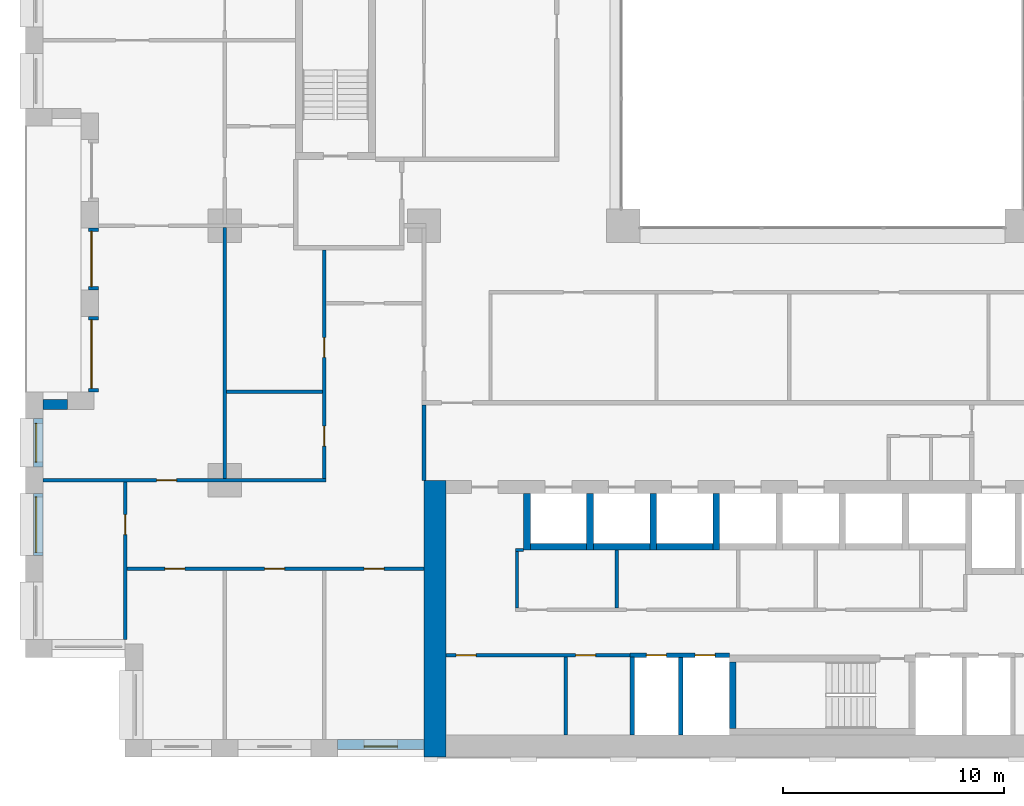
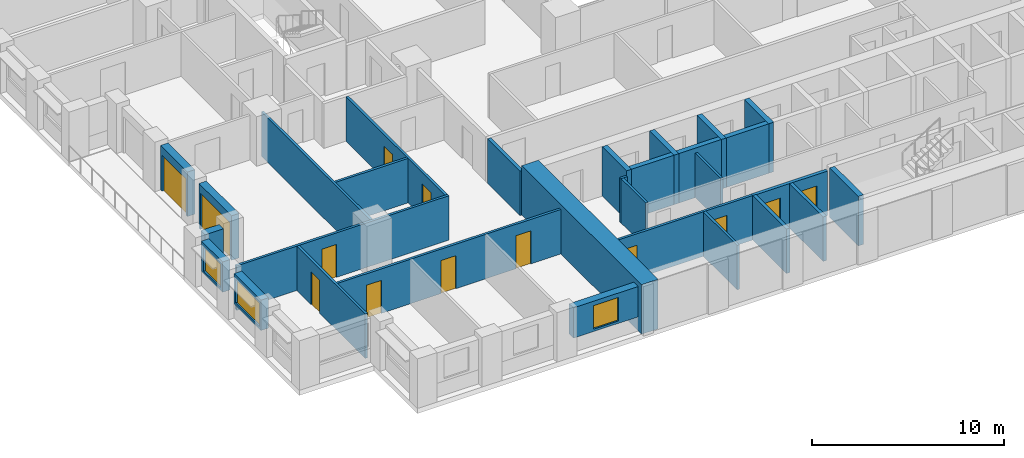
# One storey, part 9 of 19: 30 walls, 13 doors, 3 windows, 16 openings.
"""IFC4 building model written with IfcOpenShell, lengths in metres."""

from ifc_helpers import new_model, si_unit, direction, frame, frame_2d, origin, place, context, subcontext, project, spatial, rectangle, extrude, material, layer, layer_set, type_object, element, fill, save


model = new_model("IFC4")

# Units and contexts
model_context = context("Model", 3, precision=1e-05, world=origin(), true_north=direction((0.0, 1.0)))
body_context = subcontext(model_context, "Body", "Model", "MODEL_VIEW")
ifc_project = project(units=[si_unit("LENGTHUNIT", "METRE"), si_unit("AREAUNIT", "SQUARE_METRE"), si_unit("VOLUMEUNIT", "CUBIC_METRE"), si_unit("PLANEANGLEUNIT", "RADIAN"), si_unit("MASSUNIT", "GRAM", prefix="KILO")], contexts=[model_context])

# Site, building, storey
site_placement = place(None, origin())
site = spatial("IfcSite", under=ifc_project, at=site_placement, CompositionType="ELEMENT")
building_placement = place(site_placement, origin())
building = spatial("IfcBuilding", under=site, at=building_placement, Name="Brigalow Station Residences", CompositionType="ELEMENT")
storey_placement = place(building_placement, frame((0.0, 0.0, 35.25)))
storey = spatial("IfcBuildingStorey", under=building, at=storey_placement, Name="L09", CompositionType="ELEMENT", Elevation=35.25)

# Wall, opening, window
ifc_material_1 = material(Name="Clay brick masonry", Category="masonry")
ifc_layer_1 = layer(ifc_material_1, 0.449951171875)
ifc_layer_set_1 = layer_set([ifc_layer_1], Name="BRICK INFILL WALL 450")
wall_type_1 = type_object("IfcWallType", Name="BRICK INFILL WALL 450", PredefinedType="SOLIDWALL", material=ifc_layer_set_1)
wall_1_placement = place(storey_placement, frame((14.10009765625, 0.574951171875, 0.89990234375), z_axis=(0.0, 0.0, 1.0), x_axis=(1.0, 0.0, 0.0)))
wall_1 = element("IfcWall", 1, at=wall_1_placement, inside=storey, type_object=wall_type_1, Name="L09/ewall/W-L09-3", PredefinedType="SOLIDWALL", context=body_context, shape_type="SweptSolid", body=[
    extrude(rectangle(XDim=3.89990234375, YDim=0.449951171875, at=frame_2d((1.949951171875, 0.0))), origin(), (0.0, 0.0, 1.0), 1.93017578125),
])
opening_1_placement = place(wall_1_placement, frame((1.199951171875, 0.0, 0.14990234375)))
opening_1 = element("IfcOpeningElement", 2, at=opening_1_placement, cuts=wall_1, Name="Opening WT-1", PredefinedType="OPENING", context=body_context, shape_type="SweptSolid", body=[
    extrude(rectangle(XDim=1.5, YDim=1.5, at=frame_2d((0.75, 0.75))), frame((0.0, 0.23486328125, 0.0), z_axis=(0.0, -1.0, 0.0), x_axis=(1.0, 0.0, 0.0)), (0.0, 0.0, 1.0), 0.469970703125),
])
ifc_material_2 = material(Name="Anodised aluminium frame with double glazing", Category="aluminium")
window_type_1 = type_object("IfcWindowType", Name="WINDOW 1500x1500", PartitioningType="SINGLE_PANEL", PredefinedType="WINDOW", material=ifc_material_2)
window_1_placement = place(opening_1_placement, origin())
window_1 = element("IfcWindow", 3, at=window_1_placement, inside=storey, type_object=window_type_1, Name="L09/window/W-L09-3", OverallHeight=1.5, OverallWidth=1.5, PartitioningType="SINGLE_PANEL", PredefinedType="WINDOW", context=body_context, shape_type="SweptSolid", body=[
    extrude(rectangle(XDim=1.5, YDim=1.5, at=frame_2d((0.75, 0.75))), frame((0.0, -0.06494140625, 0.0), z_axis=(0.0, -1.0, 0.0), x_axis=(1.0, 0.0, 0.0)), (0.0, 0.0, 1.0), 0.06005859375),
])
fill(opening_1, window_1)

# Wall, opening, door
wall_2_placement = place(storey_placement, frame((3.074951171875, 23.89990234375, 0.0), z_axis=(0.0, 0.0, 1.0), x_axis=(0.0, -1.0, 0.0)))
wall_2 = element("IfcWall", 4, at=wall_2_placement, inside=storey, type_object=wall_type_1, Name="L09/ewall/W-L09-48", PredefinedType="SOLIDWALL", context=body_context, shape_type="SweptSolid", body=[
    extrude(rectangle(XDim=2.7998046875, YDim=0.449951171875, at=frame_2d((1.39990234375, 0.0))), origin(), (0.0, 0.0, 1.0), 2.830078125),
])
opening_2_placement = place(wall_2_placement, frame((0.14990234375, 0.0, 0.0)))
opening_2 = element("IfcOpeningElement", 5, at=opening_2_placement, cuts=wall_2, Name="Opening D-B2500", PredefinedType="OPENING", context=body_context, shape_type="SweptSolid", body=[
    extrude(rectangle(XDim=2.5, YDim=2.300048828125, at=frame_2d((1.25, 1.14990234375))), frame((0.0, 0.23486328125, 0.0), z_axis=(0.0, -1.0, 0.0), x_axis=(1.0, 0.0, 0.0)), (0.0, 0.0, 1.0), 0.469970703125),
])
ifc_material_3 = material(Name="Anodised aluminium frame with double glazing", Category="aluminium")
door_type_1 = type_object("IfcDoorType", Name="BALCONY SLIDING DOOR 2500x2300", OperationType="SLIDING_TO_LEFT", PredefinedType="DOOR", material=ifc_material_3)
door_1_placement = place(opening_2_placement, origin())
door_1 = element("IfcDoor", 6, at=door_1_placement, inside=storey, type_object=door_type_1, Name="L09/balcony-door/W-L09-48", OperationType="SLIDING_TO_LEFT", OverallHeight=2.300048828125, OverallWidth=2.5, PredefinedType="DOOR", context=body_context, shape_type="SweptSolid", body=[
    extrude(rectangle(XDim=2.5, YDim=2.300048828125, at=frame_2d((1.25, 1.14990234375))), frame((0.0, -0.06982421875, 0.0), z_axis=(0.0, -1.0, 0.0), x_axis=(1.0, 0.0, 0.0)), (0.0, 0.0, 1.0), 0.050048828125),
])
fill(opening_2, door_1)

wall_3_placement = place(storey_placement, frame((3.074951171875, 19.89990234375, 0.0), z_axis=(0.0, 0.0, 1.0), x_axis=(0.0, -1.0, 0.0)))
wall_3 = element("IfcWall", 7, at=wall_3_placement, inside=storey, type_object=wall_type_1, Name="L09/ewall/W-L09-49", PredefinedType="SOLIDWALL", context=body_context, shape_type="SweptSolid", body=[
    extrude(rectangle(XDim=3.39990234375, YDim=0.449951171875, at=frame_2d((1.699951171875, 0.0))), origin(), (0.0, 0.0, 1.0), 2.830078125),
])
opening_3_placement = place(wall_3_placement, frame((0.14990234375, 0.0, 0.0)))
opening_3 = element("IfcOpeningElement", 8, at=opening_3_placement, cuts=wall_3, Name="Opening D-B3100", PredefinedType="OPENING", context=body_context, shape_type="SweptSolid", body=[
    extrude(rectangle(XDim=3.10009765625, YDim=2.300048828125, at=frame_2d((1.550048828125, 1.14990234375))), frame((0.0, 0.23486328125, 0.0), z_axis=(0.0, -1.0, 0.0), x_axis=(1.0, 0.0, 0.0)), (0.0, 0.0, 1.0), 0.469970703125),
])
ifc_material_4 = material(Name="Anodised aluminium frame with double glazing", Category="aluminium")
door_type_2 = type_object("IfcDoorType", Name="BALCONY SLIDING DOOR 3100x2300", OperationType="SLIDING_TO_LEFT", PredefinedType="DOOR", material=ifc_material_4)
door_2_placement = place(opening_3_placement, origin())
door_2 = element("IfcDoor", 9, at=door_2_placement, inside=storey, type_object=door_type_2, Name="L09/balcony-door/W-L09-49", OperationType="SLIDING_TO_LEFT", OverallHeight=2.300048828125, OverallWidth=3.10009765625, PredefinedType="DOOR", context=body_context, shape_type="SweptSolid", body=[
    extrude(rectangle(XDim=3.10009765625, YDim=2.300048828125, at=frame_2d((1.550048828125, 1.14990234375))), frame((0.0, -0.06982421875, 0.0), z_axis=(0.0, -1.0, 0.0), x_axis=(1.0, 0.0, 0.0)), (0.0, 0.0, 1.0), 0.050048828125),
])
fill(opening_3, door_2)

# Wall
wall_4_placement = place(storey_placement, frame((1.89990234375, 15.925048828125, 0.89990234375), z_axis=(0.0, 0.0, 1.0), x_axis=(-1.0, 0.0, 0.0)))
element("IfcWall", 10, at=wall_4_placement, inside=storey, type_object=wall_type_1, Name="L09/ewall/W-L09-50", PredefinedType="SOLIDWALL", context=body_context, shape_type="SweptSolid", body=[
    extrude(rectangle(XDim=1.099853515625, YDim=0.449951171875, at=frame_2d((0.5498046875, 0.0))), origin(), (0.0, 0.0, 1.0), 1.93017578125),
])

# Wall, opening, window
wall_5_placement = place(storey_placement, frame((0.574951171875, 15.300048828125, 0.89990234375), z_axis=(0.0, 0.0, 1.0), x_axis=(0.0, -1.0, 0.0)))
wall_5 = element("IfcWall", 11, at=wall_5_placement, inside=storey, type_object=wall_type_1, Name="L09/ewall/W-L09-51", PredefinedType="SOLIDWALL", context=body_context, shape_type="SweptSolid", body=[
    extrude(rectangle(XDim=2.199951171875, YDim=0.449951171875, at=frame_2d((1.10009765625, 0.0))), origin(), (0.0, 0.0, 1.0), 1.93017578125),
])
opening_4_placement = place(wall_5_placement, frame((0.22509765625, 0.0, 0.14990234375)))
opening_4 = element("IfcOpeningElement", 12, at=opening_4_placement, cuts=wall_5, Name="Opening WT-4", PredefinedType="OPENING", context=body_context, shape_type="SweptSolid", body=[
    extrude(rectangle(XDim=1.75, YDim=1.5, at=frame_2d((0.875, 0.75))), frame((0.0, 0.23486328125, 0.0), z_axis=(0.0, -1.0, 0.0), x_axis=(1.0, 0.0, 0.0)), (0.0, 0.0, 1.0), 0.469970703125),
])
ifc_material_5 = material(Name="Anodised aluminium frame with double glazing", Category="aluminium")
window_type_2 = type_object("IfcWindowType", Name="WINDOW 1750x1500", PartitioningType="SINGLE_PANEL", PredefinedType="WINDOW", material=ifc_material_5)
window_2_placement = place(opening_4_placement, origin())
window_2 = element("IfcWindow", 13, at=window_2_placement, inside=storey, type_object=window_type_2, Name="L09/window/W-L09-51", OverallHeight=1.5, OverallWidth=1.75, PartitioningType="SINGLE_PANEL", PredefinedType="WINDOW", context=body_context, shape_type="SweptSolid", body=[
    extrude(rectangle(XDim=1.75, YDim=1.5, at=frame_2d((0.875, 0.75))), frame((0.0, -0.06494140625, 0.0), z_axis=(0.0, -1.0, 0.0), x_axis=(1.0, 0.0, 0.0)), (0.0, 0.0, 1.0), 0.06005859375),
])
fill(opening_4, window_2)

wall_6_placement = place(storey_placement, frame((0.574951171875, 11.89990234375, 0.89990234375), z_axis=(0.0, 0.0, 1.0), x_axis=(0.0, -1.0, 0.0)))
wall_6 = element("IfcWall", 14, at=wall_6_placement, inside=storey, type_object=wall_type_1, Name="L09/ewall/W-L09-52", PredefinedType="SOLIDWALL", context=body_context, shape_type="SweptSolid", body=[
    extrude(rectangle(XDim=2.7998046875, YDim=0.449951171875, at=frame_2d((1.39990234375, 0.0))), origin(), (0.0, 0.0, 1.0), 1.93017578125),
])
opening_5_placement = place(wall_6_placement, frame((0.14990234375, 0.0, 0.14990234375)))
opening_5 = element("IfcOpeningElement", 15, at=opening_5_placement, cuts=wall_6, Name="Opening WT-5", PredefinedType="OPENING", context=body_context, shape_type="SweptSolid", body=[
    extrude(rectangle(XDim=2.5, YDim=1.5, at=frame_2d((1.25, 0.75))), frame((0.0, 0.23486328125, 0.0), z_axis=(0.0, -1.0, 0.0), x_axis=(1.0, 0.0, 0.0)), (0.0, 0.0, 1.0), 0.469970703125),
])
ifc_material_6 = material(Name="Anodised aluminium frame with double glazing", Category="aluminium")
window_type_3 = type_object("IfcWindowType", Name="WINDOW 2500x1500", PartitioningType="SINGLE_PANEL", PredefinedType="WINDOW", material=ifc_material_6)
window_3_placement = place(opening_5_placement, origin())
window_3 = element("IfcWindow", 16, at=window_3_placement, inside=storey, type_object=window_type_3, Name="L09/window/W-L09-52", OverallHeight=1.5, OverallWidth=2.5, PartitioningType="SINGLE_PANEL", PredefinedType="WINDOW", context=body_context, shape_type="SweptSolid", body=[
    extrude(rectangle(XDim=2.5, YDim=1.5, at=frame_2d((1.25, 0.75))), frame((0.0, -0.06494140625, 0.0), z_axis=(0.0, -1.0, 0.0), x_axis=(1.0, 0.0, 0.0)), (0.0, 0.0, 1.0), 0.06005859375),
])
fill(opening_5, window_3)

# Walls
ifc_material_7 = material(Name="Concrete C80", Category="concrete")
ifc_layer_2 = layer(ifc_material_7, 1.0)
ifc_layer_set_2 = layer_set([ifc_layer_2], Name="CORE SHEAR WALL 1000 C80")
wall_type_2 = type_object("IfcWallType", Name="CORE SHEAR WALL 1000 C80", PredefinedType="SHEAR", material=ifc_layer_set_2)
wall_7_placement = place(storey_placement, frame((18.5, 0.0, 0.0), z_axis=(0.0, 0.0, 1.0), x_axis=(0.0, 1.0, 0.0)))
element("IfcWall", 17, at=wall_7_placement, inside=storey, type_object=wall_type_2, Name="CORE WALL OUT-W L09", PredefinedType="SHEAR", context=body_context, shape_type="SweptSolid", body=[
    extrude(rectangle(XDim=12.5, YDim=1.0, at=frame_2d((6.25, 0.0))), origin(), (0.0, 0.0, 1.0), 3.14990234375),
])
ifc_material_8 = material(Name="Concrete C80", Category="concrete")
ifc_layer_3 = layer(ifc_material_8, 0.300048828125)
ifc_layer_set_3 = layer_set([ifc_layer_3], Name="CORE SHEAR WALL 300 C80")
wall_type_3 = type_object("IfcWallType", Name="CORE SHEAR WALL 300 C80", PredefinedType="SHEAR", material=ifc_layer_set_3)
wall_8_placement = place(storey_placement, frame((22.800048828125, 9.5, 0.0), z_axis=(0.0, 0.0, 1.0), x_axis=(1.0, 0.0, 0.0)))
element("IfcWall", 18, at=wall_8_placement, inside=storey, type_object=wall_type_3, Name="CORE WALL SH-P1-S L09", PredefinedType="SHEAR", context=body_context, shape_type="SweptSolid", body=[
    extrude(rectangle(XDim=2.550048828125, YDim=0.300048828125, at=frame_2d((1.27490234375, 0.0))), origin(), (0.0, 0.0, 1.0), 3.14990234375),
])
wall_9_placement = place(storey_placement, frame((22.64990234375, 9.35009765625, 0.0), z_axis=(0.0, 0.0, 1.0), x_axis=(0.0, 1.0, 0.0)))
element("IfcWall", 19, at=wall_9_placement, inside=storey, type_object=wall_type_3, Name="CORE WALL SH-P1-W L09", PredefinedType="SHEAR", context=body_context, shape_type="SweptSolid", body=[
    extrude(rectangle(XDim=2.5498046875, YDim=0.300048828125, at=frame_2d((1.27490234375, 0.0))), origin(), (0.0, 0.0, 1.0), 3.14990234375),
])
wall_10_placement = place(storey_placement, frame((25.64990234375, 9.5, 0.0), z_axis=(0.0, 0.0, 1.0), x_axis=(1.0, 0.0, 0.0)))
element("IfcWall", 20, at=wall_10_placement, inside=storey, type_object=wall_type_3, Name="CORE WALL SH-P2-S L09", PredefinedType="SHEAR", context=body_context, shape_type="SweptSolid", body=[
    extrude(rectangle(XDim=2.550048828125, YDim=0.300048828125, at=frame_2d((1.27490234375, 0.0))), origin(), (0.0, 0.0, 1.0), 3.14990234375),
])
wall_11_placement = place(storey_placement, frame((25.5, 9.35009765625, 0.0), z_axis=(0.0, 0.0, 1.0), x_axis=(0.0, 1.0, 0.0)))
element("IfcWall", 21, at=wall_11_placement, inside=storey, type_object=wall_type_3, Name="CORE WALL SH-P2-W L09", PredefinedType="SHEAR", context=body_context, shape_type="SweptSolid", body=[
    extrude(rectangle(XDim=2.5498046875, YDim=0.300048828125, at=frame_2d((1.27490234375, 0.0))), origin(), (0.0, 0.0, 1.0), 3.14990234375),
])
wall_12_placement = place(storey_placement, frame((28.5, 9.5, 0.0), z_axis=(0.0, 0.0, 1.0), x_axis=(1.0, 0.0, 0.0)))
element("IfcWall", 22, at=wall_12_placement, inside=storey, type_object=wall_type_3, Name="CORE WALL SH-P3-S L09", PredefinedType="SHEAR", context=body_context, shape_type="SweptSolid", body=[
    extrude(rectangle(XDim=2.550048828125, YDim=0.300048828125, at=frame_2d((1.27490234375, 0.0))), origin(), (0.0, 0.0, 1.0), 3.14990234375),
])
for number, where, z_axis, x_axis, name in (
    (23, (28.35009765625, 9.35009765625, 0.0), (0.0, 0.0, 1.0), (0.0, 1.0, 0.0), "CORE WALL SH-P3-W L09"),
    (24, (31.199951171875, 9.35009765625, 0.0), (0.0, 0.0, 1.0), (0.0, 1.0, 0.0), "CORE WALL SH-P4-W L09"),
):
    element("IfcWall", number, at=place(storey_placement, frame(where, z_axis=z_axis, x_axis=x_axis)), inside=storey, type_object=wall_type_3, Name=name, PredefinedType="SHEAR", context=body_context, shape_type="SweptSolid", body=[
        extrude(rectangle(XDim=2.5498046875, YDim=0.300048828125, at=frame_2d((1.27490234375, 0.0))), origin(), (0.0, 0.0, 1.0), 3.14990234375),
    ])
wall_13_placement = place(storey_placement, frame((31.949951171875, 1.300048828125, 0.0), z_axis=(0.0, 0.0, 1.0), x_axis=(0.0, 1.0, 0.0)))
element("IfcWall", 25, at=wall_13_placement, inside=storey, type_object=wall_type_3, Name="CORE WALL ST-S2-W L09", PredefinedType="SHEAR", context=body_context, shape_type="SweptSolid", body=[
    extrude(rectangle(XDim=3.0, YDim=0.300048828125, at=frame_2d((1.5, 0.0))), origin(), (0.0, 0.0, 1.0), 3.14990234375),
])

# Wall, openings, doors
ifc_material_9 = material(Name="Concrete blockwork", Category="masonry")
ifc_layer_4 = layer(ifc_material_9, 0.199951171875)
ifc_layer_set_4 = layer_set([ifc_layer_4], Name="FIRE RATED CORE PARTITION 200")
wall_type_4 = type_object("IfcWallType", Name="FIRE RATED CORE PARTITION 200", PredefinedType="PARTITIONING", material=ifc_layer_set_4)
wall_14_placement = place(storey_placement, frame((27.300048828125, 4.60009765625, 0.0), z_axis=(0.0, 0.0, 1.0), x_axis=(1.0, 0.0, 0.0)))
wall_14 = element("IfcWall", 26, at=wall_14_placement, inside=storey, type_object=wall_type_4, Name="PW-5017", PredefinedType="PARTITIONING", context=body_context, shape_type="SweptSolid", body=[
    extrude(rectangle(XDim=4.5, YDim=0.199951171875, at=frame_2d((2.25, 0.0))), origin(), (0.0, 0.0, 1.0), 2.830078125),
])
opening_6_placement = place(wall_14_placement, frame((0.75, 0.0, 0.0)))
opening_6 = element("IfcOpeningElement", 27, at=opening_6_placement, cuts=wall_14, Name="Opening D-5007", PredefinedType="OPENING", context=body_context, shape_type="SweptSolid", body=[
    extrude(rectangle(XDim=0.89990234375, YDim=2.10009765625, at=frame_2d((0.449951171875, 1.050048828125))), frame((0.0, 0.10986328125, 0.0), z_axis=(0.0, -1.0, 0.0), x_axis=(1.0, 0.0, 0.0)), (0.0, 0.0, 1.0), 0.219970703125),
])
opening_7_placement = place(wall_14_placement, frame((2.949951171875, 0.0, 0.0)))
opening_7 = element("IfcOpeningElement", 28, at=opening_7_placement, cuts=wall_14, Name="Opening D-5008", PredefinedType="OPENING", context=body_context, shape_type="SweptSolid", body=[
    extrude(rectangle(XDim=0.89990234375, YDim=2.10009765625, at=frame_2d((0.449951171875, 1.050048828125))), frame((0.0, 0.10986328125, 0.0), z_axis=(0.0, -1.0, 0.0), x_axis=(1.0, 0.0, 0.0)), (0.0, 0.0, 1.0), 0.219970703125),
])
ifc_material_10 = material(Name="Steel fire door leaf in steel frame", Category="steel")
door_type_3 = type_object("IfcDoorType", Name="RISER ACCESS DOOR 900 x 2100 FD120", OperationType="SINGLE_SWING_LEFT", PredefinedType="DOOR", material=ifc_material_10)
door_3_placement = place(opening_6_placement, frame((0.89990234375, 0.0, 0.0), z_axis=(0.0, 0.0, 1.0), x_axis=(-1.0, 0.0, 0.0)))
door_3 = element("IfcDoor", 29, at=door_3_placement, inside=storey, type_object=door_type_3, Name="D-5007", OperationType="SINGLE_SWING_LEFT", OverallHeight=2.10009765625, OverallWidth=0.89990234375, PredefinedType="DOOR", context=body_context, shape_type="SweptSolid", body=[
    extrude(rectangle(XDim=0.89990234375, YDim=2.10009765625, at=frame_2d((0.449951171875, 1.050048828125))), frame((0.0, 0.02490234375, 0.0), z_axis=(0.0, -1.0, 0.0), x_axis=(1.0, 0.0, 0.0)), (0.0, 0.0, 1.0), 0.050048828125),
])
fill(opening_6, door_3)
door_4_placement = place(opening_7_placement, frame((0.89990234375, 0.0, 0.0), z_axis=(0.0, 0.0, 1.0), x_axis=(-1.0, 0.0, 0.0)))
door_4 = element("IfcDoor", 30, at=door_4_placement, inside=storey, type_object=door_type_3, Name="D-5008", OperationType="SINGLE_SWING_RIGHT", OverallHeight=2.10009765625, OverallWidth=0.89990234375, PredefinedType="DOOR", context=body_context, shape_type="SweptSolid", body=[
    extrude(rectangle(XDim=0.89990234375, YDim=2.10009765625, at=frame_2d((0.449951171875, 1.050048828125))), frame((0.0, 0.02490234375, 0.0), z_axis=(0.0, -1.0, 0.0), x_axis=(1.0, 0.0, 0.0)), (0.0, 0.0, 1.0), 0.050048828125),
])
fill(opening_7, door_4)

# Walls
wall_15_placement = place(storey_placement, frame((27.39990234375, 1.0, 0.0), z_axis=(0.0, 0.0, 1.0), x_axis=(0.0, 1.0, 0.0)))
element("IfcWall", 31, at=wall_15_placement, inside=storey, type_object=wall_type_4, Name="PW-5027", PredefinedType="PARTITIONING", context=body_context, shape_type="SweptSolid", body=[
    extrude(rectangle(XDim=3.52490234375, YDim=0.199951171875, at=frame_2d((1.762451171875, 0.0))), origin(), (0.0, 0.0, 1.0), 2.830078125),
])
wall_16_placement = place(storey_placement, frame((29.60009765625, 1.0, 0.0), z_axis=(0.0, 0.0, 1.0), x_axis=(0.0, 1.0, 0.0)))
element("IfcWall", 32, at=wall_16_placement, inside=storey, type_object=wall_type_4, Name="PW-5006", PredefinedType="PARTITIONING", context=body_context, shape_type="SweptSolid", body=[
    extrude(rectangle(XDim=3.5, YDim=0.199951171875, at=frame_2d((1.75, 0.0))), origin(), (0.0, 0.0, 1.0), 2.830078125),
])
wall_17_placement = place(storey_placement, frame((18.0, 12.5, 0.0), z_axis=(0.0, 0.0, 1.0), x_axis=(0.0, 1.0, 0.0)))
element("IfcWall", 33, at=wall_17_placement, inside=storey, type_object=wall_type_4, Name="PW-5013", PredefinedType="PARTITIONING", context=body_context, shape_type="SweptSolid", body=[
    extrude(rectangle(XDim=3.39990234375, YDim=0.199951171875, at=frame_2d((1.699951171875, 0.0))), origin(), (0.0, 0.0, 1.0), 2.830078125),
])

# Wall, opening, door
ifc_material_11 = material(Name="Plasterboard on steel stud partition", Category="steel")
ifc_layer_5 = layer(ifc_material_11, 0.14990234375)
ifc_layer_set_5 = layer_set([ifc_layer_5], Name="FLAT PARTITION 150")
wall_type_5 = type_object("IfcWallType", Name="FLAT PARTITION 150", PredefinedType="PARTITIONING", material=ifc_layer_set_5)
wall_18_placement = place(storey_placement, frame((0.800048828125, 12.5, 0.0), z_axis=(0.0, 0.0, 1.0), x_axis=(1.0, 0.0, 0.0)))
wall_18 = element("IfcWall", 34, at=wall_18_placement, inside=storey, type_object=wall_type_5, Name="PW-1B10", PredefinedType="PARTITIONING", context=body_context, shape_type="SweptSolid", body=[
    extrude(rectangle(XDim=12.77490234375, YDim=0.14990234375, at=frame_2d((6.387451171875, 0.0))), origin(), (0.0, 0.0, 1.0), 2.830078125),
])
opening_8_placement = place(wall_18_placement, frame((5.125, 0.0, 0.0)))
opening_8 = element("IfcOpeningElement", 35, at=opening_8_placement, cuts=wall_18, Name="Opening D-1B12", PredefinedType="OPENING", context=body_context, shape_type="SweptSolid", body=[
    extrude(rectangle(XDim=0.89990234375, YDim=2.10009765625, at=frame_2d((0.449951171875, 1.050048828125))), frame((0.0, 0.0849609375, 0.0), z_axis=(0.0, -1.0, 0.0), x_axis=(1.0, 0.0, 0.0)), (0.0, 0.0, 1.0), 0.169921875),
])
ifc_material_12 = material(Name="Solid-core timber door leaf", Category="wood")
door_type_4 = type_object("IfcDoorType", Name="INTERNAL DOOR 900 x 2100", OperationType="SINGLE_SWING_LEFT", PredefinedType="DOOR", material=ifc_material_12)
door_5_placement = place(opening_8_placement, origin())
door_5 = element("IfcDoor", 36, at=door_5_placement, inside=storey, type_object=door_type_4, Name="D-1B12", OperationType="SINGLE_SWING_RIGHT", OverallHeight=2.10009765625, OverallWidth=0.89990234375, PredefinedType="DOOR", context=body_context, shape_type="SweptSolid", body=[
    extrude(rectangle(XDim=0.89990234375, YDim=2.10009765625, at=frame_2d((0.449951171875, 1.050048828125))), frame((0.0, 0.02490234375, 0.0), z_axis=(0.0, -1.0, 0.0), x_axis=(1.0, 0.0, 0.0)), (0.0, 0.0, 1.0), 0.050048828125),
])
fill(opening_8, door_5)

# Wall, openings, doors
wall_19_placement = place(storey_placement, frame((4.574951171875, 8.5, 0.0), z_axis=(0.0, 0.0, 1.0), x_axis=(1.0, 0.0, 0.0)))
wall_19 = element("IfcWall", 37, at=wall_19_placement, inside=storey, type_object=wall_type_5, Name="PW-1B12", PredefinedType="PARTITIONING", context=body_context, shape_type="SweptSolid", body=[
    extrude(rectangle(XDim=13.425048828125, YDim=0.14990234375, at=frame_2d((6.71240234375, 0.0))), origin(), (0.0, 0.0, 1.0), 2.830078125),
])
opening_9_placement = place(wall_19_placement, frame((1.72509765625, 0.0, 0.0)))
opening_9 = element("IfcOpeningElement", 38, at=opening_9_placement, cuts=wall_19, Name="Opening D-1B04", PredefinedType="OPENING", context=body_context, shape_type="SweptSolid", body=[
    extrude(rectangle(XDim=0.89990234375, YDim=2.10009765625, at=frame_2d((0.449951171875, 1.050048828125))), frame((0.0, 0.0849609375, 0.0), z_axis=(0.0, -1.0, 0.0), x_axis=(1.0, 0.0, 0.0)), (0.0, 0.0, 1.0), 0.169921875),
])
opening_10_placement = place(wall_19_placement, frame((6.22509765625, 0.0, 0.0)))
opening_10 = element("IfcOpeningElement", 39, at=opening_10_placement, cuts=wall_19, Name="Opening D-1B05", PredefinedType="OPENING", context=body_context, shape_type="SweptSolid", body=[
    extrude(rectangle(XDim=0.89990234375, YDim=2.10009765625, at=frame_2d((0.449951171875, 1.050048828125))), frame((0.0, 0.0849609375, 0.0), z_axis=(0.0, -1.0, 0.0), x_axis=(1.0, 0.0, 0.0)), (0.0, 0.0, 1.0), 0.169921875),
])
opening_11_placement = place(wall_19_placement, frame((10.72509765625, 0.0, 0.0)))
opening_11 = element("IfcOpeningElement", 40, at=opening_11_placement, cuts=wall_19, Name="Opening D-1B06", PredefinedType="OPENING", context=body_context, shape_type="SweptSolid", body=[
    extrude(rectangle(XDim=0.89990234375, YDim=2.10009765625, at=frame_2d((0.449951171875, 1.050048828125))), frame((0.0, 0.0849609375, 0.0), z_axis=(0.0, -1.0, 0.0), x_axis=(1.0, 0.0, 0.0)), (0.0, 0.0, 1.0), 0.169921875),
])
door_6_placement = place(opening_9_placement, frame((0.89990234375, 0.0, 0.0), z_axis=(0.0, 0.0, 1.0), x_axis=(-1.0, 0.0, 0.0)))
door_6 = element("IfcDoor", 41, at=door_6_placement, inside=storey, type_object=door_type_4, Name="D-1B04", OperationType="SINGLE_SWING_RIGHT", OverallHeight=2.10009765625, OverallWidth=0.89990234375, PredefinedType="DOOR", context=body_context, shape_type="SweptSolid", body=[
    extrude(rectangle(XDim=0.89990234375, YDim=2.10009765625, at=frame_2d((0.449951171875, 1.050048828125))), frame((0.0, 0.02490234375, 0.0), z_axis=(0.0, -1.0, 0.0), x_axis=(1.0, 0.0, 0.0)), (0.0, 0.0, 1.0), 0.050048828125),
])
fill(opening_9, door_6)
door_7_placement = place(opening_10_placement, frame((0.89990234375, 0.0, 0.0), z_axis=(0.0, 0.0, 1.0), x_axis=(-1.0, 0.0, 0.0)))
door_7 = element("IfcDoor", 42, at=door_7_placement, inside=storey, type_object=door_type_4, Name="D-1B05", OperationType="SINGLE_SWING_RIGHT", OverallHeight=2.10009765625, OverallWidth=0.89990234375, PredefinedType="DOOR", context=body_context, shape_type="SweptSolid", body=[
    extrude(rectangle(XDim=0.89990234375, YDim=2.10009765625, at=frame_2d((0.449951171875, 1.050048828125))), frame((0.0, 0.02490234375, 0.0), z_axis=(0.0, -1.0, 0.0), x_axis=(1.0, 0.0, 0.0)), (0.0, 0.0, 1.0), 0.050048828125),
])
fill(opening_10, door_7)
door_8_placement = place(opening_11_placement, frame((0.89990234375, 0.0, 0.0), z_axis=(0.0, 0.0, 1.0), x_axis=(-1.0, 0.0, 0.0)))
door_8 = element("IfcDoor", 43, at=door_8_placement, inside=storey, type_object=door_type_4, Name="D-1B06", OperationType="SINGLE_SWING_RIGHT", OverallHeight=2.10009765625, OverallWidth=0.89990234375, PredefinedType="DOOR", context=body_context, shape_type="SweptSolid", body=[
    extrude(rectangle(XDim=0.89990234375, YDim=2.10009765625, at=frame_2d((0.449951171875, 1.050048828125))), frame((0.0, 0.02490234375, 0.0), z_axis=(0.0, -1.0, 0.0), x_axis=(1.0, 0.0, 0.0)), (0.0, 0.0, 1.0), 0.050048828125),
])
fill(opening_11, door_8)

# Wall
wall_20_placement = place(storey_placement, frame((9.074951171875, 16.5, 0.0), z_axis=(0.0, 0.0, 1.0), x_axis=(1.0, 0.0, 0.0)))
element("IfcWall", 44, at=wall_20_placement, inside=storey, type_object=wall_type_5, Name="PW-1B15", PredefinedType="PARTITIONING", context=body_context, shape_type="SweptSolid", body=[
    extrude(rectangle(XDim=4.35009765625, YDim=0.14990234375, at=frame_2d((2.175048828125, 0.0))), origin(), (0.0, 0.0, 1.0), 2.830078125),
])

# Wall, opening, door
wall_21_placement = place(storey_placement, frame((4.5, 5.300048828125, 0.0), z_axis=(0.0, 0.0, 1.0), x_axis=(0.0, 1.0, 0.0)))
wall_21 = element("IfcWall", 45, at=wall_21_placement, inside=storey, type_object=wall_type_5, Name="PW-1B49", PredefinedType="PARTITIONING", context=body_context, shape_type="SweptSolid", body=[
    extrude(rectangle(XDim=7.125, YDim=0.14990234375, at=frame_2d((3.5625, 0.0))), origin(), (0.0, 0.0, 1.0), 2.830078125),
])
opening_12_placement = place(wall_21_placement, frame((4.75, 0.0, 0.0)))
opening_12 = element("IfcOpeningElement", 46, at=opening_12_placement, cuts=wall_21, Name="Opening D-1B10", PredefinedType="OPENING", context=body_context, shape_type="SweptSolid", body=[
    extrude(rectangle(XDim=0.89990234375, YDim=2.10009765625, at=frame_2d((0.449951171875, 1.050048828125))), frame((0.0, 0.0849609375, 0.0), z_axis=(0.0, -1.0, 0.0), x_axis=(1.0, 0.0, 0.0)), (0.0, 0.0, 1.0), 0.169921875),
])
door_9_placement = place(opening_12_placement, origin())
door_9 = element("IfcDoor", 47, at=door_9_placement, inside=storey, type_object=door_type_4, Name="D-1B10", OperationType="SINGLE_SWING_RIGHT", OverallHeight=2.10009765625, OverallWidth=0.89990234375, PredefinedType="DOOR", context=body_context, shape_type="SweptSolid", body=[
    extrude(rectangle(XDim=0.89990234375, YDim=2.10009765625, at=frame_2d((0.449951171875, 1.050048828125))), frame((0.0, 0.02490234375, 0.0), z_axis=(0.0, -1.0, 0.0), x_axis=(1.0, 0.0, 0.0)), (0.0, 0.0, 1.0), 0.050048828125),
])
fill(opening_12, door_9)

# Wall
wall_22_placement = place(storey_placement, frame((9.0, 12.574951171875, 0.0), z_axis=(0.0, 0.0, 1.0), x_axis=(0.0, 1.0, 0.0)))
element("IfcWall", 48, at=wall_22_placement, inside=storey, type_object=wall_type_5, Name="PW-1B51", PredefinedType="PARTITIONING", context=body_context, shape_type="SweptSolid", body=[
    extrude(rectangle(XDim=11.35009765625, YDim=0.14990234375, at=frame_2d((5.675048828125, 0.0))), origin(), (0.0, 0.0, 1.0), 2.830078125),
])

# Wall, openings, doors
wall_23_placement = place(storey_placement, frame((13.5, 12.574951171875, 0.0), z_axis=(0.0, 0.0, 1.0), x_axis=(0.0, 1.0, 0.0)))
wall_23 = element("IfcWall", 49, at=wall_23_placement, inside=storey, type_object=wall_type_5, Name="PW-1B57", PredefinedType="PARTITIONING", context=body_context, shape_type="SweptSolid", body=[
    extrude(rectangle(XDim=10.324951171875, YDim=0.14990234375, at=frame_2d((5.16259765625, 0.0))), origin(), (0.0, 0.0, 1.0), 2.830078125),
])
opening_13_placement = place(wall_23_placement, frame((1.47509765625, 0.0, 0.0)))
opening_13 = element("IfcOpeningElement", 50, at=opening_13_placement, cuts=wall_23, Name="Opening D-1B03", PredefinedType="OPENING", context=body_context, shape_type="SweptSolid", body=[
    extrude(rectangle(XDim=0.89990234375, YDim=2.10009765625, at=frame_2d((0.449951171875, 1.050048828125))), frame((0.0, 0.0849609375, 0.0), z_axis=(0.0, -1.0, 0.0), x_axis=(1.0, 0.0, 0.0)), (0.0, 0.0, 1.0), 0.169921875),
])
opening_14_placement = place(wall_23_placement, frame((5.47509765625, 0.0, 0.0)))
opening_14 = element("IfcOpeningElement", 51, at=opening_14_placement, cuts=wall_23, Name="Opening D-1B11", PredefinedType="OPENING", context=body_context, shape_type="SweptSolid", body=[
    extrude(rectangle(XDim=0.89990234375, YDim=2.10009765625, at=frame_2d((0.449951171875, 1.050048828125))), frame((0.0, 0.0849609375, 0.0), z_axis=(0.0, -1.0, 0.0), x_axis=(1.0, 0.0, 0.0)), (0.0, 0.0, 1.0), 0.169921875),
])
door_10_placement = place(opening_13_placement, origin())
door_10 = element("IfcDoor", 52, at=door_10_placement, inside=storey, type_object=door_type_4, Name="D-1B03", OperationType="SINGLE_SWING_RIGHT", OverallHeight=2.10009765625, OverallWidth=0.89990234375, PredefinedType="DOOR", context=body_context, shape_type="SweptSolid", body=[
    extrude(rectangle(XDim=0.89990234375, YDim=2.10009765625, at=frame_2d((0.449951171875, 1.050048828125))), frame((0.0, 0.02490234375, 0.0), z_axis=(0.0, -1.0, 0.0), x_axis=(1.0, 0.0, 0.0)), (0.0, 0.0, 1.0), 0.050048828125),
])
fill(opening_13, door_10)
door_11_placement = place(opening_14_placement, origin())
door_11 = element("IfcDoor", 53, at=door_11_placement, inside=storey, type_object=door_type_4, Name="D-1B11", OperationType="SINGLE_SWING_LEFT", OverallHeight=2.10009765625, OverallWidth=0.89990234375, PredefinedType="DOOR", context=body_context, shape_type="SweptSolid", body=[
    extrude(rectangle(XDim=0.89990234375, YDim=2.10009765625, at=frame_2d((0.449951171875, 1.050048828125))), frame((0.0, 0.02490234375, 0.0), z_axis=(0.0, -1.0, 0.0), x_axis=(1.0, 0.0, 0.0)), (0.0, 0.0, 1.0), 0.050048828125),
])
fill(opening_14, door_11)

ifc_material_13 = material(Name="Plasterboard on steel studs", Category="steel")
ifc_layer_6 = layer(ifc_material_13, 0.14990234375)
ifc_layer_set_6 = layer_set([ifc_layer_6], Name="SERVICE ROOM PARTITION 150")
wall_type_6 = type_object("IfcWallType", Name="SERVICE ROOM PARTITION 150", PredefinedType="PARTITIONING", material=ifc_layer_set_6)
wall_24_placement = place(storey_placement, frame((19.0, 4.60009765625, 0.0), z_axis=(0.0, 0.0, 1.0), x_axis=(1.0, 0.0, 0.0)))
wall_24 = element("IfcWall", 54, at=wall_24_placement, inside=storey, type_object=wall_type_6, Name="PW-5019", PredefinedType="PARTITIONING", context=body_context, shape_type="SweptSolid", body=[
    extrude(rectangle(XDim=8.300048828125, YDim=0.14990234375, at=frame_2d((4.14990234375, 0.0))), origin(), (0.0, 0.0, 1.0), 2.830078125),
])
opening_15_placement = place(wall_24_placement, frame((0.449951171875, 0.0, 0.0)))
opening_15 = element("IfcOpeningElement", 55, at=opening_15_placement, cuts=wall_24, Name="Opening D-5025", PredefinedType="OPENING", context=body_context, shape_type="SweptSolid", body=[
    extrude(rectangle(XDim=0.89990234375, YDim=2.10009765625, at=frame_2d((0.449951171875, 1.050048828125))), frame((0.0, 0.0849609375, 0.0), z_axis=(0.0, -1.0, 0.0), x_axis=(1.0, 0.0, 0.0)), (0.0, 0.0, 1.0), 0.169921875),
])
opening_16_placement = place(wall_24_placement, frame((5.85009765625, 0.0, 0.0)))
opening_16 = element("IfcOpeningElement", 56, at=opening_16_placement, cuts=wall_24, Name="Opening D-5035", PredefinedType="OPENING", context=body_context, shape_type="SweptSolid", body=[
    extrude(rectangle(XDim=0.89990234375, YDim=2.10009765625, at=frame_2d((0.449951171875, 1.050048828125))), frame((0.0, 0.0849609375, 0.0), z_axis=(0.0, -1.0, 0.0), x_axis=(1.0, 0.0, 0.0)), (0.0, 0.0, 1.0), 0.169921875),
])
ifc_material_14 = material(Name="Steel door leaf in steel frame", Category="steel")
door_type_5 = type_object("IfcDoorType", Name="SERVICE ROOM DOOR 900 x 2100 FD60", OperationType="SINGLE_SWING_LEFT", PredefinedType="DOOR", material=ifc_material_14)
door_12_placement = place(opening_15_placement, frame((0.89990234375, 0.0, 0.0), z_axis=(0.0, 0.0, 1.0), x_axis=(-1.0, 0.0, 0.0)))
door_12 = element("IfcDoor", 57, at=door_12_placement, inside=storey, type_object=door_type_5, Name="D-5025", OperationType="SINGLE_SWING_RIGHT", OverallHeight=2.10009765625, OverallWidth=0.89990234375, PredefinedType="DOOR", context=body_context, shape_type="SweptSolid", body=[
    extrude(rectangle(XDim=0.89990234375, YDim=2.10009765625, at=frame_2d((0.449951171875, 1.050048828125))), frame((0.0, 0.02490234375, 0.0), z_axis=(0.0, -1.0, 0.0), x_axis=(1.0, 0.0, 0.0)), (0.0, 0.0, 1.0), 0.050048828125),
])
fill(opening_15, door_12)
door_13_placement = place(opening_16_placement, frame((0.89990234375, 0.0, 0.0), z_axis=(0.0, 0.0, 1.0), x_axis=(-1.0, 0.0, 0.0)))
door_13 = element("IfcDoor", 58, at=door_13_placement, inside=storey, type_object=door_type_5, Name="D-5035", OperationType="SINGLE_SWING_RIGHT", OverallHeight=2.10009765625, OverallWidth=0.89990234375, PredefinedType="DOOR", context=body_context, shape_type="SweptSolid", body=[
    extrude(rectangle(XDim=0.89990234375, YDim=2.10009765625, at=frame_2d((0.449951171875, 1.050048828125))), frame((0.0, 0.02490234375, 0.0), z_axis=(0.0, -1.0, 0.0), x_axis=(1.0, 0.0, 0.0)), (0.0, 0.0, 1.0), 0.050048828125),
])
fill(opening_16, door_13)

# Walls
wall_25_placement = place(storey_placement, frame((22.125, 9.35009765625, 0.0), z_axis=(0.0, 0.0, 1.0), x_axis=(1.0, 0.0, 0.0)))
element("IfcWall", 59, at=wall_25_placement, inside=storey, type_object=wall_type_6, Name="PW-5022", PredefinedType="PARTITIONING", context=body_context, shape_type="SweptSolid", body=[
    extrude(rectangle(XDim=0.375, YDim=0.14990234375, at=frame_2d((0.1875, 0.0))), origin(), (0.0, 0.0, 1.0), 2.830078125),
])
wall_26_placement = place(storey_placement, frame((24.39990234375, 1.0, 0.0), z_axis=(0.0, 0.0, 1.0), x_axis=(0.0, 1.0, 0.0)))
element("IfcWall", 60, at=wall_26_placement, inside=storey, type_object=wall_type_6, Name="PW-5040", PredefinedType="PARTITIONING", context=body_context, shape_type="SweptSolid", body=[
    extrude(rectangle(XDim=3.52490234375, YDim=0.14990234375, at=frame_2d((1.762451171875, 0.0))), origin(), (0.0, 0.0, 1.0), 2.830078125),
])
wall_27_placement = place(storey_placement, frame((22.199951171875, 6.72509765625, 0.0), z_axis=(0.0, 0.0, 1.0), x_axis=(0.0, 1.0, 0.0)))
element("IfcWall", 61, at=wall_27_placement, inside=storey, type_object=wall_type_6, Name="PW-5030", PredefinedType="PARTITIONING", context=body_context, shape_type="SweptSolid", body=[
    extrude(rectangle(XDim=2.5498046875, YDim=0.14990234375, at=frame_2d((1.27490234375, 0.0))), origin(), (0.0, 0.0, 1.0), 2.830078125),
])
wall_28_placement = place(storey_placement, frame((26.699951171875, 6.72509765625, 0.0), z_axis=(0.0, 0.0, 1.0), x_axis=(0.0, 1.0, 0.0)))
element("IfcWall", 62, at=wall_28_placement, inside=storey, type_object=wall_type_6, Name="PW-5041", PredefinedType="PARTITIONING", context=body_context, shape_type="SweptSolid", body=[
    extrude(rectangle(XDim=2.625, YDim=0.14990234375, at=frame_2d((1.3125, 0.0))), origin(), (0.0, 0.0, 1.0), 2.830078125),
])

save(model, "model.ifc")
